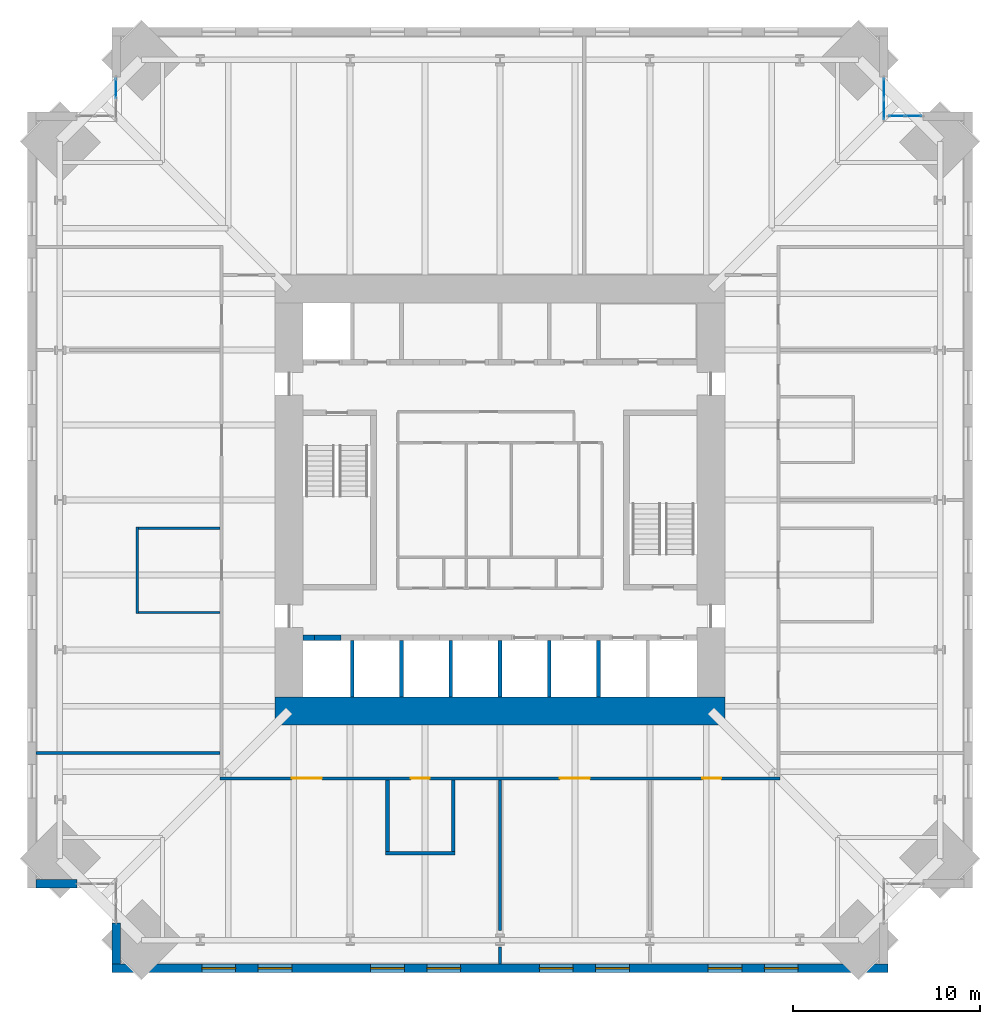
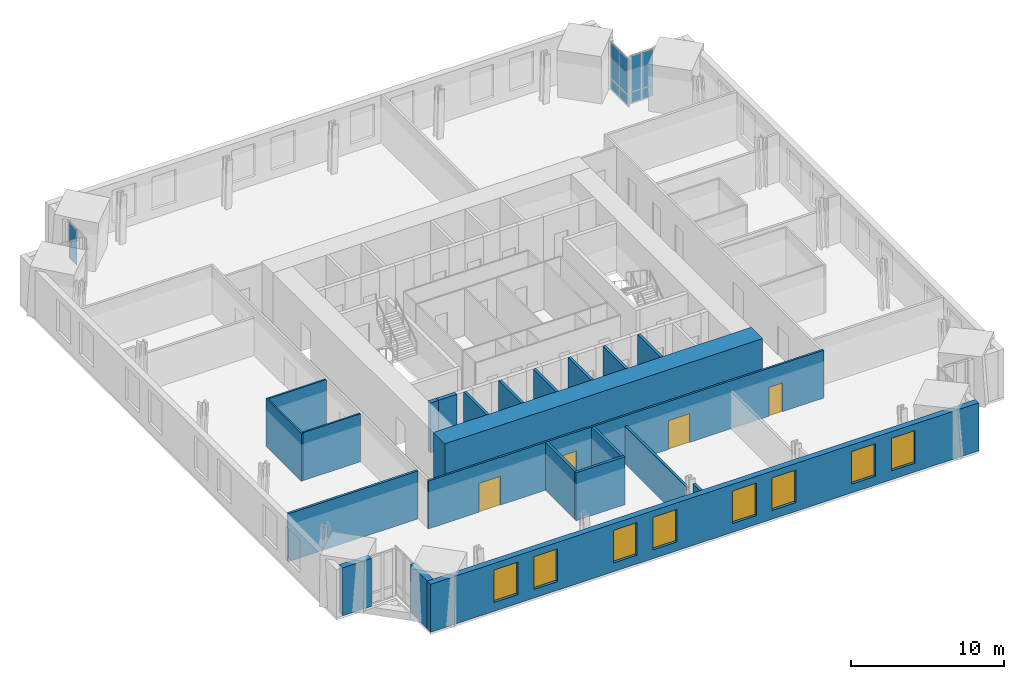
# One storey, part 10 of 15: 22 walls, 9 plates, 8 windows, 4 doors, 12 openings, 3 elements without a shape of their own.
"""IFC4 building model written with IfcOpenShell, lengths in metres."""

from ifc_helpers import new_model, si_unit, direction, frame, frame_2d, origin, origin_2d, place, context, subcontext, project, spatial, rectangle, extrude, material, layer, layer_set, type_object, element, fill, aggregate, save


model = new_model("IFC4")

# Units and contexts
model_context = context("Model", 3, precision=1e-05, world=origin(), true_north=direction((0.0, 1.0)))
body_context = subcontext(model_context, "Body", "Model", "MODEL_VIEW")
ifc_project = project(units=[si_unit("LENGTHUNIT", "METRE"), si_unit("AREAUNIT", "SQUARE_METRE"), si_unit("VOLUMEUNIT", "CUBIC_METRE"), si_unit("PLANEANGLEUNIT", "RADIAN"), si_unit("MASSUNIT", "GRAM", prefix="KILO")], contexts=[model_context])

# Site, building, storey
site_placement = place(None, origin())
site = spatial("IfcSite", under=ifc_project, at=site_placement, CompositionType="ELEMENT")
building_placement = place(site_placement, origin())
building = spatial("IfcBuilding", under=site, at=building_placement, Name="Peilmerk Tower", CompositionType="ELEMENT")
storey_placement = place(building_placement, frame((0.0, 0.0, 183.800048828125)))
storey = spatial("IfcBuildingStorey", under=building, at=storey_placement, Name="L39", CompositionType="ELEMENT", Elevation=183.800048828125)

# Curtain wall, plates
ifc_material_1 = material(Name="Aluminium stick curtain wall", Category="aluminium")
curtain_wall_type = type_object("IfcCurtainWallType", Name="CW3 stick curtain wall, 2250 module", PredefinedType="NOTDEFINED", material=ifc_material_1)
curtain_wall_1_placement = place(storey_placement, origin())
curtain_wall_1 = element("IfcCurtainWall", 1, at=curtain_wall_1_placement, inside=storey, type_object=curtain_wall_type, Name="Curtain wall CW3 NEA L39", PredefinedType="NOTDEFINED")
ifc_material_2 = material(Name="Clear insulated glazing unit", Category="glass")
ifc_layer_1 = layer(ifc_material_2, 0.028076171875)
ifc_layer_set_1 = layer_set([ifc_layer_1], Name="Clear insulated glazing unit")
plate_type = type_object("IfcPlateType", Name="CW3-P 28 glazed panel", PredefinedType="CURTAIN_PANEL", material=ifc_layer_set_1)
plate_1_placement = place(storey_placement, frame((20.47509765625, 20.83837890625, 0.06494140625), z_axis=(0.0, 0.0, 1.0), x_axis=(0.0, 1.0, 0.0)))
plate_1 = element("IfcPlate", 2, at=plate_1_placement, type_object=plate_type, Name="CW3 panel 1.1", PredefinedType="CURTAIN_PANEL", context=body_context, shape_type="SweptSolid", body=[
    extrude(rectangle(XDim=1.046875, YDim=0.028076171875, at=origin_2d()), origin(), (0.0, 0.0, 1.0), 0.802490234375),
])
plate_2_placement = place(storey_placement, frame((20.47509765625, 20.83837890625, 0.932373046875), z_axis=(0.0, 0.0, 1.0), x_axis=(0.0, 1.0, 0.0)))
plate_2 = element("IfcPlate", 3, at=plate_2_placement, type_object=plate_type, Name="CW3 panel 1.2", PredefinedType="CURTAIN_PANEL", context=body_context, shape_type="SweptSolid", body=[
    extrude(rectangle(XDim=1.046875, YDim=0.028076171875, at=origin_2d()), origin(), (0.0, 0.0, 1.0), 2.83251953125),
])
plate_3_placement = place(storey_placement, frame((20.47509765625, 21.9501953125, 0.06494140625), z_axis=(0.0, 0.0, 1.0), x_axis=(0.0, 1.0, 0.0)))
plate_3 = element("IfcPlate", 4, at=plate_3_placement, type_object=plate_type, Name="CW3 panel 2.1", PredefinedType="CURTAIN_PANEL", context=body_context, shape_type="SweptSolid", body=[
    extrude(rectangle(XDim=1.046875, YDim=0.028076171875, at=origin_2d()), origin(), (0.0, 0.0, 1.0), 0.802490234375),
])
plate_4_placement = place(storey_placement, frame((20.47509765625, 21.9501953125, 0.932373046875), z_axis=(0.0, 0.0, 1.0), x_axis=(0.0, 1.0, 0.0)))
plate_4 = element("IfcPlate", 5, at=plate_4_placement, type_object=plate_type, Name="CW3 panel 2.2", PredefinedType="CURTAIN_PANEL", context=body_context, shape_type="SweptSolid", body=[
    extrude(rectangle(XDim=1.046875, YDim=0.028076171875, at=origin_2d()), origin(), (0.0, 0.0, 1.0), 2.83251953125),
])
aggregate(curtain_wall_1, [plate_1, plate_2, plate_3, plate_4])

curtain_wall_2_placement = place(storey_placement, origin())
curtain_wall_2 = element("IfcCurtainWall", 6, at=curtain_wall_2_placement, inside=storey, type_object=curtain_wall_type, Name="Curtain wall CW3 NEB L39", PredefinedType="NOTDEFINED")
plate_5_placement = place(storey_placement, frame((21.176025390625, 20.47509765625, 0.06494140625), z_axis=(0.0, 0.0, 1.0), x_axis=(1.0, 0.0, 0.0)))
plate_5 = element("IfcPlate", 7, at=plate_5_placement, type_object=plate_type, Name="CW3 panel 1.1", PredefinedType="CURTAIN_PANEL", context=body_context, shape_type="SweptSolid", body=[
    extrude(rectangle(XDim=0.82177734375, YDim=0.028076171875, at=origin_2d()), origin(), (0.0, 0.0, 1.0), 0.802490234375),
])
plate_6_placement = place(storey_placement, frame((21.176025390625, 20.47509765625, 0.932373046875), z_axis=(0.0, 0.0, 1.0), x_axis=(1.0, 0.0, 0.0)))
plate_6 = element("IfcPlate", 8, at=plate_6_placement, type_object=plate_type, Name="CW3 panel 1.2", PredefinedType="CURTAIN_PANEL", context=body_context, shape_type="SweptSolid", body=[
    extrude(rectangle(XDim=0.82177734375, YDim=0.028076171875, at=origin_2d()), origin(), (0.0, 0.0, 1.0), 2.83251953125),
])
plate_7_placement = place(storey_placement, frame((22.062744140625, 20.47509765625, 0.06494140625), z_axis=(0.0, 0.0, 1.0), x_axis=(1.0, 0.0, 0.0)))
plate_7 = element("IfcPlate", 9, at=plate_7_placement, type_object=plate_type, Name="CW3 panel 2.1", PredefinedType="CURTAIN_PANEL", context=body_context, shape_type="SweptSolid", body=[
    extrude(rectangle(XDim=0.82177734375, YDim=0.028076171875, at=origin_2d()), origin(), (0.0, 0.0, 1.0), 0.802490234375),
])
plate_8_placement = place(storey_placement, frame((22.062744140625, 20.47509765625, 0.932373046875), z_axis=(0.0, 0.0, 1.0), x_axis=(1.0, 0.0, 0.0)))
plate_8 = element("IfcPlate", 10, at=plate_8_placement, type_object=plate_type, Name="CW3 panel 2.2", PredefinedType="CURTAIN_PANEL", context=body_context, shape_type="SweptSolid", body=[
    extrude(rectangle(XDim=0.82177734375, YDim=0.028076171875, at=origin_2d()), origin(), (0.0, 0.0, 1.0), 2.83251953125),
])
aggregate(curtain_wall_2, [plate_5, plate_6, plate_7, plate_8])

# Curtain wall, plate
curtain_wall_3_placement = place(storey_placement, origin())
curtain_wall_3 = element("IfcCurtainWall", 11, at=curtain_wall_3_placement, inside=storey, type_object=curtain_wall_type, Name="Curtain wall CW3 NWA L39", PredefinedType="NOTDEFINED")
plate_9_placement = place(storey_placement, frame((-20.47509765625, 21.9501953125, 0.932373046875), z_axis=(0.0, 0.0, 1.0), x_axis=(0.0, 1.0, 0.0)))
plate_9 = element("IfcPlate", 12, at=plate_9_placement, type_object=plate_type, Name="CW3 panel 2.2", PredefinedType="CURTAIN_PANEL", context=body_context, shape_type="SweptSolid", body=[
    extrude(rectangle(XDim=1.046875, YDim=0.028076171875, at=origin_2d()), origin(), (0.0, 0.0, 1.0), 2.83251953125),
])
aggregate(curtain_wall_3, [plate_9])

# Wall, openings, windows
ifc_material_3 = material(Name="Precast concrete C45/55, board-marked finish", Category="concrete")
ifc_layer_2 = layer(ifc_material_3, 0.449951171875)
ifc_layer_set_2 = layer_set([ifc_layer_2], Name="Precast concrete C45/55, board-marked finish")
wall_type_1 = type_object("IfcWallType", Name="EW1 450 precast concrete facade wall, board-marked", PredefinedType="SOLIDWALL", material=ifc_layer_set_2)
wall_1_placement = place(storey_placement, frame((-20.699951171875, -24.97509765625, 0.0), z_axis=(0.0, 0.0, 1.0), x_axis=(1.0, 0.0, 0.0)))
wall_1 = element("IfcWall", 13, at=wall_1_placement, inside=storey, type_object=wall_type_1, Name="Facade wall S L39", PredefinedType="SOLIDWALL", context=body_context, shape_type="SweptSolid", body=[
    extrude(rectangle(XDim=41.39990234375, YDim=0.449951171875, at=frame_2d((20.699951171875, 0.0))), origin(), (0.0, 0.0, 1.0), 3.829833984375),
])
opening_1_placement = place(wall_1_placement, frame((4.800048828125, 0.0, 0.699951171875)))
opening_1 = element("IfcOpeningElement", 14, at=opening_1_placement, cuts=wall_1, Name="Opening W1", PredefinedType="OPENING", context=body_context, shape_type="SweptSolid", body=[
    extrude(rectangle(XDim=1.800048828125, YDim=2.60009765625, at=frame_2d((0.89990234375, 1.300048828125))), frame((0.0, 0.23486328125, 0.0), z_axis=(0.0, -1.0, 0.0), x_axis=(1.0, 0.0, 0.0)), (0.0, 0.0, 1.0), 0.469970703125),
])
opening_2_placement = place(wall_1_placement, frame((7.800048828125, 0.0, 0.699951171875)))
opening_2 = element("IfcOpeningElement", 15, at=opening_2_placement, cuts=wall_1, Name="Opening W1", PredefinedType="OPENING", context=body_context, shape_type="SweptSolid", body=[
    extrude(rectangle(XDim=1.800048828125, YDim=2.60009765625, at=frame_2d((0.89990234375, 1.300048828125))), frame((0.0, 0.23486328125, 0.0), z_axis=(0.0, -1.0, 0.0), x_axis=(1.0, 0.0, 0.0)), (0.0, 0.0, 1.0), 0.469970703125),
])
opening_3_placement = place(wall_1_placement, frame((13.800048828125, 0.0, 0.699951171875)))
opening_3 = element("IfcOpeningElement", 16, at=opening_3_placement, cuts=wall_1, Name="Opening W1", PredefinedType="OPENING", context=body_context, shape_type="SweptSolid", body=[
    extrude(rectangle(XDim=1.800048828125, YDim=2.60009765625, at=frame_2d((0.89990234375, 1.300048828125))), frame((0.0, 0.23486328125, 0.0), z_axis=(0.0, -1.0, 0.0), x_axis=(1.0, 0.0, 0.0)), (0.0, 0.0, 1.0), 0.469970703125),
])
opening_4_placement = place(wall_1_placement, frame((16.800048828125, 0.0, 0.699951171875)))
opening_4 = element("IfcOpeningElement", 17, at=opening_4_placement, cuts=wall_1, Name="Opening W1", PredefinedType="OPENING", context=body_context, shape_type="SweptSolid", body=[
    extrude(rectangle(XDim=1.800048828125, YDim=2.60009765625, at=frame_2d((0.89990234375, 1.300048828125))), frame((0.0, 0.23486328125, 0.0), z_axis=(0.0, -1.0, 0.0), x_axis=(1.0, 0.0, 0.0)), (0.0, 0.0, 1.0), 0.469970703125),
])
opening_5_placement = place(wall_1_placement, frame((22.800048828125, 0.0, 0.699951171875)))
opening_5 = element("IfcOpeningElement", 18, at=opening_5_placement, cuts=wall_1, Name="Opening W1", PredefinedType="OPENING", context=body_context, shape_type="SweptSolid", body=[
    extrude(rectangle(XDim=1.800048828125, YDim=2.60009765625, at=frame_2d((0.89990234375, 1.300048828125))), frame((0.0, 0.23486328125, 0.0), z_axis=(0.0, -1.0, 0.0), x_axis=(1.0, 0.0, 0.0)), (0.0, 0.0, 1.0), 0.469970703125),
])
opening_6_placement = place(wall_1_placement, frame((25.800048828125, 0.0, 0.699951171875)))
opening_6 = element("IfcOpeningElement", 19, at=opening_6_placement, cuts=wall_1, Name="Opening W1", PredefinedType="OPENING", context=body_context, shape_type="SweptSolid", body=[
    extrude(rectangle(XDim=1.800048828125, YDim=2.60009765625, at=frame_2d((0.89990234375, 1.300048828125))), frame((0.0, 0.23486328125, 0.0), z_axis=(0.0, -1.0, 0.0), x_axis=(1.0, 0.0, 0.0)), (0.0, 0.0, 1.0), 0.469970703125),
])
opening_7_placement = place(wall_1_placement, frame((31.800048828125, 0.0, 0.699951171875)))
opening_7 = element("IfcOpeningElement", 20, at=opening_7_placement, cuts=wall_1, Name="Opening W1", PredefinedType="OPENING", context=body_context, shape_type="SweptSolid", body=[
    extrude(rectangle(XDim=1.800048828125, YDim=2.60009765625, at=frame_2d((0.89990234375, 1.300048828125))), frame((0.0, 0.23486328125, 0.0), z_axis=(0.0, -1.0, 0.0), x_axis=(1.0, 0.0, 0.0)), (0.0, 0.0, 1.0), 0.469970703125),
])
opening_8_placement = place(wall_1_placement, frame((34.800048828125, 0.0, 0.699951171875)))
opening_8 = element("IfcOpeningElement", 21, at=opening_8_placement, cuts=wall_1, Name="Opening W1", PredefinedType="OPENING", context=body_context, shape_type="SweptSolid", body=[
    extrude(rectangle(XDim=1.800048828125, YDim=2.60009765625, at=frame_2d((0.89990234375, 1.300048828125))), frame((0.0, 0.23486328125, 0.0), z_axis=(0.0, -1.0, 0.0), x_axis=(1.0, 0.0, 0.0)), (0.0, 0.0, 1.0), 0.469970703125),
])
ifc_material_4 = material(Name="Aluminium frame, clear double glazing", Category="aluminium")
window_type = type_object("IfcWindowType", Name="W1 1800x2600 office window", PartitioningType="SINGLE_PANEL", PredefinedType="WINDOW", material=ifc_material_4)
window_1_placement = place(opening_1_placement, origin())
window_1 = element("IfcWindow", 22, at=window_1_placement, inside=storey, type_object=window_type, Name="Window W1 L39", OverallHeight=2.60009765625, OverallWidth=1.800048828125, PartitioningType="SINGLE_PANEL", PredefinedType="WINDOW", context=body_context, shape_type="SweptSolid", body=[
    extrude(rectangle(XDim=1.800048828125, YDim=2.60009765625, at=frame_2d((0.89990234375, 1.300048828125))), frame((0.0, 0.030029296875, 0.0), z_axis=(0.0, -1.0, 0.0), x_axis=(1.0, 0.0, 0.0)), (0.0, 0.0, 1.0), 0.06005859375),
])
fill(opening_1, window_1)
window_2_placement = place(opening_2_placement, origin())
window_2 = element("IfcWindow", 23, at=window_2_placement, inside=storey, type_object=window_type, Name="Window W1 L39", OverallHeight=2.60009765625, OverallWidth=1.800048828125, PartitioningType="SINGLE_PANEL", PredefinedType="WINDOW", context=body_context, shape_type="SweptSolid", body=[
    extrude(rectangle(XDim=1.800048828125, YDim=2.60009765625, at=frame_2d((0.89990234375, 1.300048828125))), frame((0.0, 0.030029296875, 0.0), z_axis=(0.0, -1.0, 0.0), x_axis=(1.0, 0.0, 0.0)), (0.0, 0.0, 1.0), 0.06005859375),
])
fill(opening_2, window_2)
window_3_placement = place(opening_3_placement, origin())
window_3 = element("IfcWindow", 24, at=window_3_placement, inside=storey, type_object=window_type, Name="Window W1 L39", OverallHeight=2.60009765625, OverallWidth=1.800048828125, PartitioningType="SINGLE_PANEL", PredefinedType="WINDOW", context=body_context, shape_type="SweptSolid", body=[
    extrude(rectangle(XDim=1.800048828125, YDim=2.60009765625, at=frame_2d((0.89990234375, 1.300048828125))), frame((0.0, 0.030029296875, 0.0), z_axis=(0.0, -1.0, 0.0), x_axis=(1.0, 0.0, 0.0)), (0.0, 0.0, 1.0), 0.06005859375),
])
fill(opening_3, window_3)
window_4_placement = place(opening_4_placement, origin())
window_4 = element("IfcWindow", 25, at=window_4_placement, inside=storey, type_object=window_type, Name="Window W1 L39", OverallHeight=2.60009765625, OverallWidth=1.800048828125, PartitioningType="SINGLE_PANEL", PredefinedType="WINDOW", context=body_context, shape_type="SweptSolid", body=[
    extrude(rectangle(XDim=1.800048828125, YDim=2.60009765625, at=frame_2d((0.89990234375, 1.300048828125))), frame((0.0, 0.030029296875, 0.0), z_axis=(0.0, -1.0, 0.0), x_axis=(1.0, 0.0, 0.0)), (0.0, 0.0, 1.0), 0.06005859375),
])
fill(opening_4, window_4)
window_5_placement = place(opening_5_placement, origin())
window_5 = element("IfcWindow", 26, at=window_5_placement, inside=storey, type_object=window_type, Name="Window W1 L39", OverallHeight=2.60009765625, OverallWidth=1.800048828125, PartitioningType="SINGLE_PANEL", PredefinedType="WINDOW", context=body_context, shape_type="SweptSolid", body=[
    extrude(rectangle(XDim=1.800048828125, YDim=2.60009765625, at=frame_2d((0.89990234375, 1.300048828125))), frame((0.0, 0.030029296875, 0.0), z_axis=(0.0, -1.0, 0.0), x_axis=(1.0, 0.0, 0.0)), (0.0, 0.0, 1.0), 0.06005859375),
])
fill(opening_5, window_5)
window_6_placement = place(opening_6_placement, origin())
window_6 = element("IfcWindow", 27, at=window_6_placement, inside=storey, type_object=window_type, Name="Window W1 L39", OverallHeight=2.60009765625, OverallWidth=1.800048828125, PartitioningType="SINGLE_PANEL", PredefinedType="WINDOW", context=body_context, shape_type="SweptSolid", body=[
    extrude(rectangle(XDim=1.800048828125, YDim=2.60009765625, at=frame_2d((0.89990234375, 1.300048828125))), frame((0.0, 0.030029296875, 0.0), z_axis=(0.0, -1.0, 0.0), x_axis=(1.0, 0.0, 0.0)), (0.0, 0.0, 1.0), 0.06005859375),
])
fill(opening_6, window_6)
window_7_placement = place(opening_7_placement, origin())
window_7 = element("IfcWindow", 28, at=window_7_placement, inside=storey, type_object=window_type, Name="Window W1 L39", OverallHeight=2.60009765625, OverallWidth=1.800048828125, PartitioningType="SINGLE_PANEL", PredefinedType="WINDOW", context=body_context, shape_type="SweptSolid", body=[
    extrude(rectangle(XDim=1.800048828125, YDim=2.60009765625, at=frame_2d((0.89990234375, 1.300048828125))), frame((0.0, 0.030029296875, 0.0), z_axis=(0.0, -1.0, 0.0), x_axis=(1.0, 0.0, 0.0)), (0.0, 0.0, 1.0), 0.06005859375),
])
fill(opening_7, window_7)
window_8_placement = place(opening_8_placement, origin())
window_8 = element("IfcWindow", 29, at=window_8_placement, inside=storey, type_object=window_type, Name="Window W1 L39", OverallHeight=2.60009765625, OverallWidth=1.800048828125, PartitioningType="SINGLE_PANEL", PredefinedType="WINDOW", context=body_context, shape_type="SweptSolid", body=[
    extrude(rectangle(XDim=1.800048828125, YDim=2.60009765625, at=frame_2d((0.89990234375, 1.300048828125))), frame((0.0, 0.030029296875, 0.0), z_axis=(0.0, -1.0, 0.0), x_axis=(1.0, 0.0, 0.0)), (0.0, 0.0, 1.0), 0.06005859375),
])
fill(opening_8, window_8)

# Walls
for number, where, z_axis, x_axis, name in (
    (30, (-20.47509765625, -22.5537109375, 0.0), (0.0, 0.0, 1.0), (0.0, -1.0, 0.0), "Facade wall SWA L39"),
    (31, (-22.5537109375, -20.47509765625, 0.0), (0.0, 0.0, 1.0), (-1.0, 0.0, 0.0), "Facade wall SWB L39"),
):
    element("IfcWall", number, at=place(storey_placement, frame(where, z_axis=z_axis, x_axis=x_axis)), inside=storey, type_object=wall_type_1, Name=name, PredefinedType="SOLIDWALL", context=body_context, shape_type="SweptSolid", body=[
        extrude(rectangle(XDim=2.1962890625, YDim=0.449951171875, at=frame_2d((1.09814453125, 0.0))), origin(), (0.0, 0.0, 1.0), 3.829833984375),
    ])

# Wall, openings, doors
ifc_material_5 = material(Name="Calcium silicate block", Category="masonry")
ifc_layer_3 = layer(ifc_material_5, 0.14990234375)
ifc_layer_set_3 = layer_set([ifc_layer_3], Name="Calcium silicate block")
wall_type_2 = type_object("IfcWallType", Name="IW1 150 corridor partition, EI 60", PredefinedType="PARTITIONING", material=ifc_layer_set_3)
wall_2_placement = place(storey_placement, frame((14.925048828125, -14.85009765625, 0.0), z_axis=(0.0, 0.0, 1.0), x_axis=(-1.0, 0.0, 0.0)))
wall_2 = element("IfcWall", 32, at=wall_2_placement, inside=storey, type_object=wall_type_2, Name="Corridor wall S L39", PredefinedType="PARTITIONING", context=body_context, shape_type="SweptSolid", body=[
    extrude(rectangle(XDim=29.85009765625, YDim=0.14990234375, at=frame_2d((14.925048828125, 0.0))), origin(), (0.0, 0.0, 1.0), 3.829833984375),
])
opening_9_placement = place(wall_2_placement, frame((24.425048828125, 0.0, 0.0)))
opening_9 = element("IfcOpeningElement", 33, at=opening_9_placement, cuts=wall_2, Name="Opening D9", PredefinedType="OPENING", context=body_context, shape_type="SweptSolid", body=[
    extrude(rectangle(XDim=1.60009765625, YDim=2.300048828125, at=frame_2d((0.800048828125, 1.14990234375))), frame((0.0, 0.0849609375, 0.0), z_axis=(0.0, -1.0, 0.0), x_axis=(1.0, 0.0, 0.0)), (0.0, 0.0, 1.0), 0.169921875),
])
opening_10_placement = place(wall_2_placement, frame((10.125, 0.0, 0.0)))
opening_10 = element("IfcOpeningElement", 34, at=opening_10_placement, cuts=wall_2, Name="Opening D9", PredefinedType="OPENING", context=body_context, shape_type="SweptSolid", body=[
    extrude(rectangle(XDim=1.60009765625, YDim=2.300048828125, at=frame_2d((0.800048828125, 1.14990234375))), frame((0.0, 0.0849609375, 0.0), z_axis=(0.0, -1.0, 0.0), x_axis=(1.0, 0.0, 0.0)), (0.0, 0.0, 1.0), 0.169921875),
])
opening_11_placement = place(wall_2_placement, frame((3.125, 0.0, 0.0)))
opening_11 = element("IfcOpeningElement", 35, at=opening_11_placement, cuts=wall_2, Name="Opening D1", PredefinedType="OPENING", context=body_context, shape_type="SweptSolid", body=[
    extrude(rectangle(XDim=1.0, YDim=2.300048828125, at=frame_2d((0.5, 1.14990234375))), frame((0.0, 0.0849609375, 0.0), z_axis=(0.0, -1.0, 0.0), x_axis=(1.0, 0.0, 0.0)), (0.0, 0.0, 1.0), 0.169921875),
])
opening_12_placement = place(wall_2_placement, frame((18.675048828125, 0.0, 0.0)))
opening_12 = element("IfcOpeningElement", 36, at=opening_12_placement, cuts=wall_2, Name="Opening D1", PredefinedType="OPENING", context=body_context, shape_type="SweptSolid", body=[
    extrude(rectangle(XDim=1.0, YDim=2.300048828125, at=frame_2d((0.5, 1.14990234375))), frame((0.0, 0.0849609375, 0.0), z_axis=(0.0, -1.0, 0.0), x_axis=(1.0, 0.0, 0.0)), (0.0, 0.0, 1.0), 0.169921875),
])
ifc_material_6 = material(Name="Timber door in steel frame", Category="steel")
door_type_1 = type_object("IfcDoorType", Name="D1 1000x2300 room door, EI2 30", OperationType="SINGLE_SWING_LEFT", PredefinedType="DOOR", material=ifc_material_6)
door_1_placement = place(opening_11_placement, origin())
door_1 = element("IfcDoor", 37, at=door_1_placement, inside=storey, type_object=door_type_1, Name="Door Office L39", OperationType="SINGLE_SWING_LEFT", OverallHeight=2.300048828125, OverallWidth=1.0, PredefinedType="DOOR", context=body_context, shape_type="SweptSolid", body=[
    extrude(rectangle(XDim=1.0, YDim=2.300048828125, at=frame_2d((0.5, 1.14990234375))), frame((0.0, 0.02490234375, 0.0), z_axis=(0.0, -1.0, 0.0), x_axis=(1.0, 0.0, 0.0)), (0.0, 0.0, 1.0), 0.050048828125),
])
fill(opening_11, door_1)
door_2_placement = place(opening_12_placement, origin())
door_2 = element("IfcDoor", 38, at=door_2_placement, inside=storey, type_object=door_type_1, Name="Door Interview room L39", OperationType="SINGLE_SWING_LEFT", OverallHeight=2.300048828125, OverallWidth=1.0, PredefinedType="DOOR", context=body_context, shape_type="SweptSolid", body=[
    extrude(rectangle(XDim=1.0, YDim=2.300048828125, at=frame_2d((0.5, 1.14990234375))), frame((0.0, 0.02490234375, 0.0), z_axis=(0.0, -1.0, 0.0), x_axis=(1.0, 0.0, 0.0)), (0.0, 0.0, 1.0), 0.050048828125),
])
fill(opening_12, door_2)
ifc_material_7 = material(Name="Glazed timber door in steel frame", Category="steel")
door_type_2 = type_object("IfcDoorType", Name="D9 1600x2300 glazed double door, EI2 30", OperationType="DOUBLE_DOOR_SINGLE_SWING", PredefinedType="DOOR", material=ifc_material_7)
door_3_placement = place(opening_9_placement, origin())
door_3 = element("IfcDoor", 39, at=door_3_placement, inside=storey, type_object=door_type_2, Name="Door Reception L39", OperationType="DOUBLE_DOOR_SINGLE_SWING", OverallHeight=2.300048828125, OverallWidth=1.60009765625, PredefinedType="DOOR", context=body_context, shape_type="SweptSolid", body=[
    extrude(rectangle(XDim=1.60009765625, YDim=2.300048828125, at=frame_2d((0.800048828125, 1.14990234375))), frame((0.0, 0.02490234375, 0.0), z_axis=(0.0, -1.0, 0.0), x_axis=(1.0, 0.0, 0.0)), (0.0, 0.0, 1.0), 0.050048828125),
])
fill(opening_9, door_3)
door_4_placement = place(opening_10_placement, origin())
door_4 = element("IfcDoor", 40, at=door_4_placement, inside=storey, type_object=door_type_2, Name="Door Open workspace L39", OperationType="DOUBLE_DOOR_SINGLE_SWING", OverallHeight=2.300048828125, OverallWidth=1.60009765625, PredefinedType="DOOR", context=body_context, shape_type="SweptSolid", body=[
    extrude(rectangle(XDim=1.60009765625, YDim=2.300048828125, at=frame_2d((0.800048828125, 1.14990234375))), frame((0.0, 0.02490234375, 0.0), z_axis=(0.0, -1.0, 0.0), x_axis=(1.0, 0.0, 0.0)), (0.0, 0.0, 1.0), 0.050048828125),
])
fill(opening_10, door_4)

# Walls
ifc_layer_4 = layer(ifc_material_5, 0.199951171875)
ifc_layer_set_4 = layer_set([ifc_layer_4], Name="Calcium silicate block")
wall_type_3 = type_object("IfcWallType", Name="IW2 200 room separating wall, EI 120", PredefinedType="PARTITIONING", material=ifc_layer_set_4)
wall_3_placement = place(storey_placement, frame((-6.10009765625, -18.85009765625, 0.0), z_axis=(0.0, 0.0, 1.0), x_axis=(1.0, 0.0, 0.0)))
element("IfcWall", 41, at=wall_3_placement, inside=storey, type_object=wall_type_3, Name="Room separating wall Interview room L39", PredefinedType="PARTITIONING", context=body_context, shape_type="SweptSolid", body=[
    extrude(rectangle(XDim=3.7001953125, YDim=0.199951171875, at=frame_2d((1.85009765625, 0.0))), origin(), (0.0, 0.0, 1.0), 3.829833984375),
])
for number, where, z_axis, x_axis, name in (
    (42, (-6.0, -14.925048828125, 0.0), (0.0, 0.0, 1.0), (0.0, -1.0, 0.0), "Room separating wall Interview room L39"),
    (43, (-2.5, -14.925048828125, 0.0), (0.0, 0.0, 1.0), (0.0, -1.0, 0.0), "Room separating wall Interview room L39"),
):
    element("IfcWall", number, at=place(storey_placement, frame(where, z_axis=z_axis, x_axis=x_axis)), inside=storey, type_object=wall_type_3, Name=name, PredefinedType="PARTITIONING", context=body_context, shape_type="SweptSolid", body=[
        extrude(rectangle(XDim=3.824951171875, YDim=0.199951171875, at=frame_2d((1.91259765625, 0.0))), origin(), (0.0, 0.0, 1.0), 3.829833984375),
    ])
ifc_material_8 = material(Name="Plasterboard on steel studs, double boarded with mineral wool", Category="steel")
ifc_layer_5 = layer(ifc_material_8, 0.125)
ifc_layer_set_5 = layer_set([ifc_layer_5], Name="Plasterboard on steel studs, double boarded with mineral wool")
wall_type_4 = type_object("IfcWallType", Name="IW7 125 acoustic partition, EI 30", PredefinedType="PARTITIONING", material=ifc_layer_set_5)
wall_4_placement = place(storey_placement, frame((-19.35009765625, -6.0625, 0.0), z_axis=(0.0, 0.0, 1.0), x_axis=(0.0, 1.0, 0.0)))
element("IfcWall", 44, at=wall_4_placement, inside=storey, type_object=wall_type_4, Name="Acoustic partition Meeting room L39", PredefinedType="PARTITIONING", context=body_context, shape_type="SweptSolid", body=[
    extrude(rectangle(XDim=4.625, YDim=0.125, at=frame_2d((2.3125, 0.0))), origin(), (0.0, 0.0, 1.0), 3.829833984375),
])
for number, where, z_axis, x_axis, name in (
    (45, (-14.925048828125, -6.0, 0.0), (0.0, 0.0, 1.0), (-1.0, 0.0, 0.0), "Acoustic partition Meeting room L39"),
    (46, (-14.925048828125, -1.5, 0.0), (0.0, 0.0, 1.0), (-1.0, 0.0, 0.0), "Acoustic partition Meeting room L39"),
):
    element("IfcWall", number, at=place(storey_placement, frame(where, z_axis=z_axis, x_axis=x_axis)), inside=storey, type_object=wall_type_4, Name=name, PredefinedType="PARTITIONING", context=body_context, shape_type="SweptSolid", body=[
        extrude(rectangle(XDim=4.362548828125, YDim=0.125, at=frame_2d((2.18115234375, 0.0))), origin(), (0.0, 0.0, 1.0), 3.829833984375),
    ])
ifc_layer_6 = layer(ifc_material_5, 0.175048828125)
ifc_layer_set_6 = layer_set([ifc_layer_6], Name="Calcium silicate block")
wall_type_5 = type_object("IfcWallType", Name="IW8 175 tenant separating wall, EI 60", PredefinedType="PARTITIONING", material=ifc_layer_set_6)
wall_5_placement = place(storey_placement, frame((-14.925048828125, -13.5, 0.0), z_axis=(0.0, 0.0, 1.0), x_axis=(-1.0, 0.0, 0.0)))
element("IfcWall", 47, at=wall_5_placement, inside=storey, type_object=wall_type_5, Name="Tenant separating wall SW L39", PredefinedType="PARTITIONING", context=body_context, shape_type="SweptSolid", body=[
    extrude(rectangle(XDim=9.824951171875, YDim=0.175048828125, at=frame_2d((4.91259765625, 0.0))), origin(), (0.0, 0.0, 1.0), 3.829833984375),
])
wall_6_placement = place(storey_placement, frame((0.0, -14.925048828125, 0.0), z_axis=(0.0, 0.0, 1.0), x_axis=(0.0, -1.0, 0.0)))
element("IfcWall", 48, at=wall_6_placement, inside=storey, type_object=wall_type_5, Name="Tenant separating wall S1 L39", PredefinedType="PARTITIONING", context=body_context, shape_type="SweptSolid", body=[
    extrude(rectangle(XDim=8.03515625, YDim=0.175048828125, at=frame_2d((4.017578125, 0.0))), origin(), (0.0, 0.0, 1.0), 3.015869140625),
])
wall_7_placement = place(storey_placement, frame((0.0, -23.849365234375, 0.0), z_axis=(0.0, 0.0, 1.0), x_axis=(0.0, -1.0, 0.0)))
element("IfcWall", 49, at=wall_7_placement, inside=storey, type_object=wall_type_5, Name="Tenant separating wall S1b L39", PredefinedType="PARTITIONING", context=body_context, shape_type="SweptSolid", body=[
    extrude(rectangle(XDim=0.900634765625, YDim=0.175048828125, at=frame_2d((0.4501953125, 0.0))), origin(), (0.0, 0.0, 1.0), 3.829833984375),
])
ifc_layer_7 = layer(ifc_material_5, 0.199951171875)
ifc_layer_set_7 = layer_set([ifc_layer_7], Name="Calcium silicate block")
wall_type_6 = type_object("IfcWallType", Name="SH1 200 shaft dividing wall, EI 120", PredefinedType="PARTITIONING", material=ifc_layer_set_7)
for number, where, z_axis, x_axis, name in (
    (50, (-7.875, -10.5, 0.0), (0.0, 0.0, 1.0), (0.0, 1.0, 0.0), "Shaft wall S C4 L39"),
    (51, (-5.25, -10.5, 0.0), (0.0, 0.0, 1.0), (0.0, 1.0, 0.0), "Shaft wall S C3 L39"),
    (52, (-2.625, -10.5, 0.0), (0.0, 0.0, 1.0), (0.0, 1.0, 0.0), "Shaft wall S C2 L39"),
    (53, (0.0, -10.5, 0.0), (0.0, 0.0, 1.0), (0.0, 1.0, 0.0), "Shaft wall S C1 L39"),
    (54, (2.625, -10.5, 0.0), (0.0, 0.0, 1.0), (0.0, 1.0, 0.0), "Shaft wall S B3 L39"),
    (55, (5.25, -10.5, 0.0), (0.0, 0.0, 1.0), (0.0, 1.0, 0.0), "Shaft wall S B2 L39"),
):
    element("IfcWall", number, at=place(storey_placement, frame(where, z_axis=z_axis, x_axis=x_axis)), inside=storey, type_object=wall_type_6, Name=name, PredefinedType="PARTITIONING", context=body_context, shape_type="SweptSolid", body=[
        extrude(rectangle(XDim=3.0, YDim=0.199951171875, at=frame_2d((1.5, 0.0))), origin(), (0.0, 0.0, 1.0), 4.0),
    ])
ifc_layer_8 = layer(ifc_material_5, 0.300048828125)
ifc_layer_set_8 = layer_set([ifc_layer_8], Name="Calcium silicate block")
wall_type_7 = type_object("IfcWallType", Name="SH2 300 lift landing door panel, EI 120", PredefinedType="PARTITIONING", material=ifc_layer_set_8)
wall_8_placement = place(storey_placement, frame((-9.887451171875, -7.35009765625, 0.0), z_axis=(0.0, 0.0, 1.0), x_axis=(1.0, 0.0, 0.0)))
element("IfcWall", 56, at=wall_8_placement, inside=storey, type_object=wall_type_7, Name="Lift door panel S C4 L39", PredefinedType="PARTITIONING", context=body_context, shape_type="SweptSolid", body=[
    extrude(rectangle(XDim=1.39990234375, YDim=0.300048828125, at=frame_2d((0.699951171875, 0.0))), origin(), (0.0, 0.0, 1.0), 4.0),
])
ifc_material_9 = material(Name="Concrete C55/67", Category="concrete")
ifc_layer_9 = layer(ifc_material_9, 1.5)
ifc_layer_set_9 = layer_set([ifc_layer_9], Name="Concrete C55/67")
wall_type_8 = type_object("IfcWallType", Name="SW1 1500 core wall", PredefinedType="SHEAR", material=ifc_layer_set_9)
wall_9_placement = place(storey_placement, frame((12.0, -11.25, 0.0), z_axis=(0.0, 0.0, 1.0), x_axis=(-1.0, 0.0, 0.0)))
element("IfcWall", 57, at=wall_9_placement, inside=storey, type_object=wall_type_8, Name="Core wall S L39", PredefinedType="SHEAR", context=body_context, shape_type="SweptSolid", body=[
    extrude(rectangle(XDim=24.0, YDim=1.5, at=frame_2d((12.0, 0.0))), origin(), (0.0, 0.0, 1.0), 4.0),
])
ifc_layer_10 = layer(ifc_material_9, 0.300048828125)
ifc_layer_set_10 = layer_set([ifc_layer_10], Name="Concrete C55/67")
wall_type_9 = type_object("IfcWallType", Name="SW2 300 lift bank pier", PredefinedType="SHEAR", material=ifc_layer_set_10)
wall_10_placement = place(storey_placement, frame((-10.5, -7.35009765625, 0.0), z_axis=(0.0, 0.0, 1.0), x_axis=(1.0, 0.0, 0.0)))
element("IfcWall", 58, at=wall_10_placement, inside=storey, type_object=wall_type_9, Name="Lift bank pier S L39", PredefinedType="SHEAR", context=body_context, shape_type="SweptSolid", body=[
    extrude(rectangle(XDim=0.612548828125, YDim=0.300048828125, at=frame_2d((0.30615234375, 0.0))), origin(), (0.0, 0.0, 1.0), 4.0),
])

save(model, "model.ifc")
